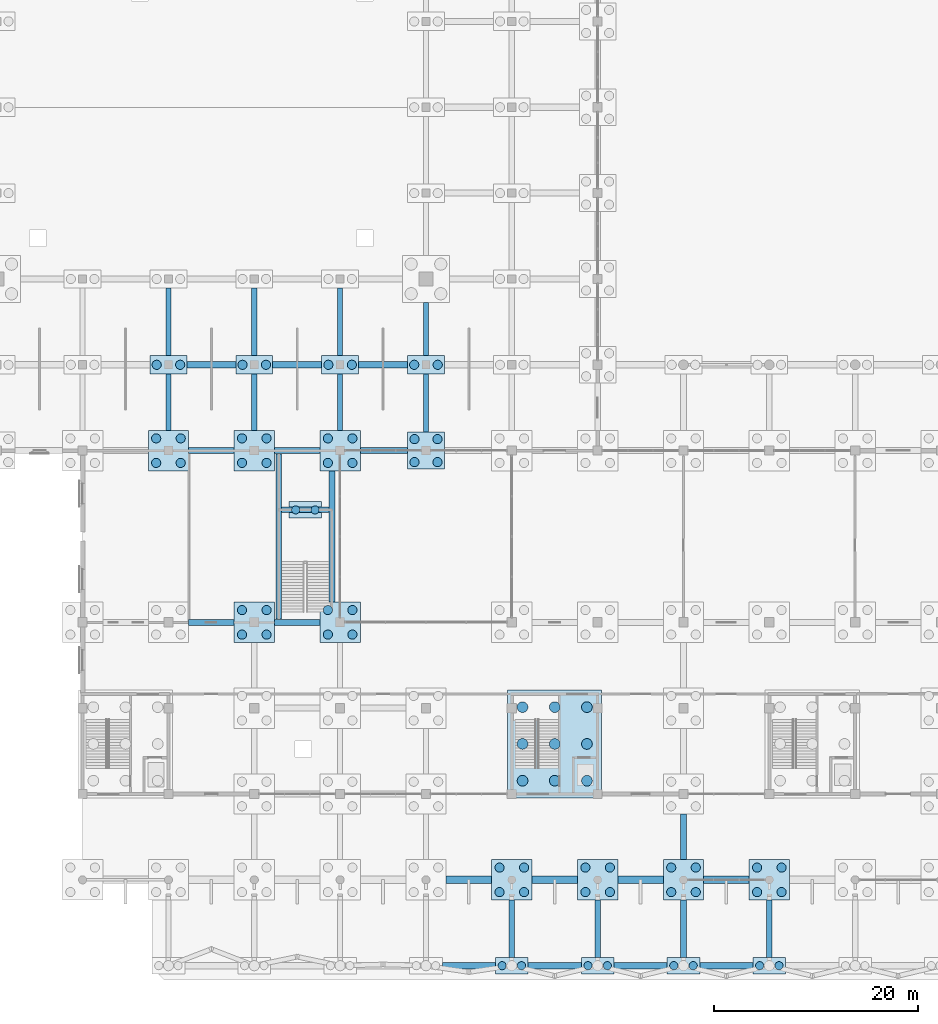
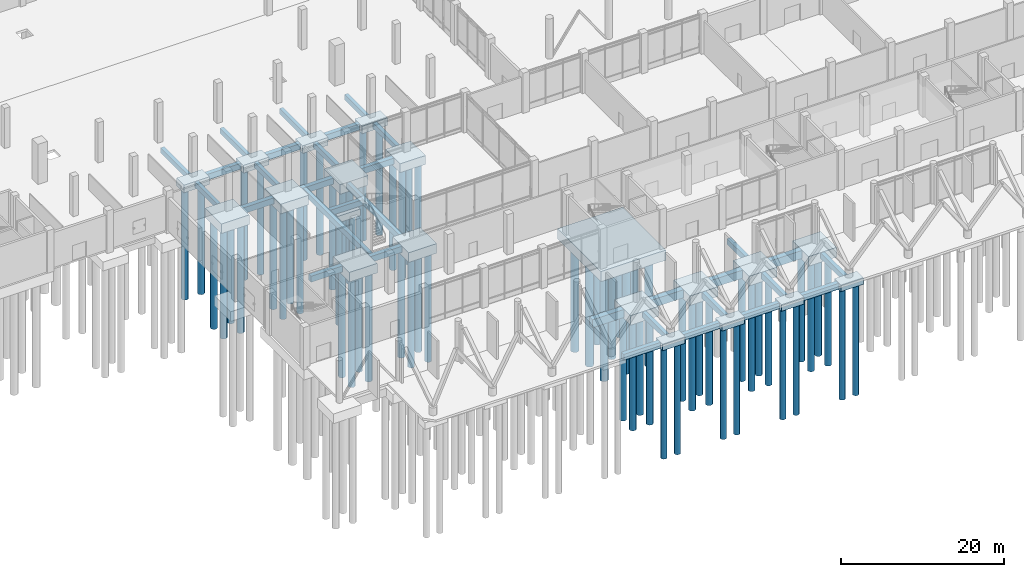
# One storey, part 2 of 72: 67 piles, 52 footings.
"""IFC4 building model written with IfcOpenShell, lengths in metres."""

import ifcopenshell
import ifcopenshell.guid

model = None  # the IFC model being written
_history = None  # IfcOwnerHistory: only IFC2X3 demands one
_inside = {}  # id of a spatial element -> (the spatial element, [elements in it])
_under = {}  # id of a project, library or spatial element -> (it, [spatial elements below it])
_declared = {}  # id of a project -> (the project, [libraries it declares])
_typed = {}  # id of a type object -> (the type object, [elements of that type])
_made_of = {}  # id of a material, layer set ... -> (it, [elements and type objects made of it])


def new_model(schema):
    """Start an empty IFC model of exactly this schema.

    Asked for "IFC4X3", IfcOpenShell would pick the latest addendum, in which some entities
    have other attributes; the version numbers below select the first issue.
    IFC2X3 requires an IfcOwnerHistory on every rooted entity: one is made here for all.
    """
    global model, _history
    if schema == "IFC4X3":
        model = ifcopenshell.file(schema_version=(4, 3, 0, 0))
    else:
        model = ifcopenshell.file(schema=schema)
    _inside.clear()
    _under.clear()
    _declared.clear()
    _typed.clear()
    _made_of.clear()
    _history = None
    if model.schema == "IFC2X3":
        org = make("IfcOrganization", Name="unknown")
        user = make(
            "IfcPersonAndOrganization",
            ThePerson=make("IfcPerson", FamilyName="unknown"),
            TheOrganization=org,
        )
        app = make(
            "IfcApplication",
            ApplicationDeveloper=org,
            Version="unknown",
            ApplicationFullName="unknown",
            ApplicationIdentifier="unknown",
        )
        _history = make(
            "IfcOwnerHistory",
            OwningUser=user,
            OwningApplication=app,
            ChangeAction="ADDED",
            CreationDate=0,
        )
    return model


def make(cls, **values):
    """One entity of the class cls with the attributes given. An attribute that is None is left unset."""
    return model.create_entity(
        cls, **{name: value for name, value in values.items() if value is not None}
    )


def rooted(cls, **values):
    """An entity with a GlobalId (a new one), such as an element, a storey or a relation."""
    return make(cls, GlobalId=ifcopenshell.guid.new(), OwnerHistory=_history, **values)


def si_unit(unit_type, name, prefix=None):
    """IfcSIUnit, for example si_unit("LENGTHUNIT", "METRE", prefix="MILLI")."""
    return make("IfcSIUnit", UnitType=unit_type, Prefix=prefix, Name=name)


def assignment(units):
    """IfcUnitAssignment: the units of a project."""
    return None if units is None else make("IfcUnitAssignment", Units=units)


def point(xyz):
    """IfcCartesianPoint."""
    return None if xyz is None else make("IfcCartesianPoint", Coordinates=xyz)


def direction(xyz):
    """IfcDirection."""
    return None if xyz is None else make("IfcDirection", DirectionRatios=xyz)


def frame(location, z_axis=None, x_axis=None):
    """IfcAxis2Placement3D, a coordinate frame: its origin and axes. An axis left out is left unset."""
    return make(
        "IfcAxis2Placement3D",
        Location=point(location),
        Axis=direction(z_axis),
        RefDirection=direction(x_axis),
    )


def frame_2d(location, x_axis=None):
    """IfcAxis2Placement2D, a coordinate frame in the plane: its origin and x axis."""
    return make(
        "IfcAxis2Placement2D", Location=point(location), RefDirection=direction(x_axis)
    )


def origin():
    """The frame at (0, 0, 0) with its axes left unset."""
    return frame((0.0, 0.0, 0.0))


def origin_2d():
    """The frame at (0, 0) in the plane with its x axis left unset."""
    return frame_2d((0.0, 0.0))


def place(relative_to, where):
    """IfcLocalPlacement: puts the frame where relative to a parent placement (None: the world)."""
    return make(
        "IfcLocalPlacement", PlacementRelTo=relative_to, RelativePlacement=where
    )


def context(
    kind, dimensions, precision=None, world=None, true_north=None, identifier=None
):
    """IfcGeometricRepresentationContext, for example the 3D "Model" context."""
    return make(
        "IfcGeometricRepresentationContext",
        ContextIdentifier=identifier,
        ContextType=kind,
        CoordinateSpaceDimension=dimensions,
        Precision=precision,
        WorldCoordinateSystem=world,
        TrueNorth=true_north,
    )


def subcontext(parent, identifier, kind, view, scale=None):
    """IfcGeometricRepresentationSubContext, for example "Body" below "Model"."""
    return make(
        "IfcGeometricRepresentationSubContext",
        ContextIdentifier=identifier,
        ContextType=kind,
        ParentContext=parent,
        TargetScale=scale,
        TargetView=view,
    )


def project(units=None, contexts=None):
    """IfcProject with its units and contexts."""
    return rooted(
        "IfcProject",
        Name="project",
        RepresentationContexts=contexts,
        UnitsInContext=assignment(units),
    )


def spatial(cls, under=None, at=None, **own):
    """A site, building, storey or space (cls), placed at a placement, below another one or the project."""
    s = rooted(cls, ObjectPlacement=at, **own)
    if under is not None:
        _under.setdefault(under.id(), (under, []))[1].append(s)
    return s


def profile(cls, at=None, kind="AREA", **sizes):
    """A parametric profile (cls). Its sizes go by their IFC names, for example OverallWidth=200.0."""
    return make(cls, ProfileType=kind, Position=at, **sizes)


def rectangle(**sizes):
    """IfcRectangleProfileDef."""
    return profile("IfcRectangleProfileDef", **sizes)


def circle(**sizes):
    """IfcCircleProfileDef."""
    return profile("IfcCircleProfileDef", **sizes)


def extrude(swept, where, along, depth):
    """IfcExtrudedAreaSolid: the profile swept, set in the frame where, extruded along a direction by depth."""
    return make(
        "IfcExtrudedAreaSolid",
        SweptArea=swept,
        Position=where,
        ExtrudedDirection=direction(along),
        Depth=depth,
    )


def shape(context_of_items, identifier, shape_type, items):
    """IfcShapeRepresentation: the items that make up one representation, for example the "Body"."""
    return make(
        "IfcShapeRepresentation",
        ContextOfItems=context_of_items,
        RepresentationIdentifier=identifier,
        RepresentationType=shape_type,
        Items=items,
    )


def material(Name=None, Category=None):
    """IfcMaterial."""
    return make("IfcMaterial", Name=Name, Category=Category)


def layer(
    of_material, thickness, ventilated=None, Name=None, Category=None, Priority=None
):
    """IfcMaterialLayer: one layer of a wall or slab, of a material (None: an air gap)."""
    return make(
        "IfcMaterialLayer",
        Material=of_material,
        LayerThickness=thickness,
        IsVentilated=ventilated,
        Name=Name,
        Category=Category,
        Priority=Priority,
    )


def layer_set(layers, Name=None):
    """IfcMaterialLayerSet."""
    return make("IfcMaterialLayerSet", MaterialLayers=layers, LayerSetName=Name)


def material_profile(
    of_material, cross_section, Name=None, Category=None, Priority=None
):
    """IfcMaterialProfile: a cross section and its material."""
    return make(
        "IfcMaterialProfile",
        Name=Name,
        Material=of_material,
        Profile=cross_section,
        Priority=Priority,
        Category=Category,
    )


def profile_set(profiles, Name=None, composite=None):
    """IfcMaterialProfileSet."""
    return make(
        "IfcMaterialProfileSet",
        Name=Name,
        MaterialProfiles=profiles,
        CompositeProfile=composite,
    )


def made_of(thing, what):
    """Note that an element or type object is made of a material, layer set ...; save() writes the relation."""
    if what is not None:
        _made_of.setdefault(what.id(), (what, []))[1].append(thing)
    return thing


def type_object(cls, material=None, **own):
    """A type object (cls), such as IfcWallType, which elements share."""
    return made_of(rooted(cls, **own), material)


def element(
    cls,
    number,
    at=None,
    inside=None,
    cuts=None,
    type_object=None,
    material=None,
    context=None,
    identifier="Body",
    shape_type=None,
    held_by="IfcProductDefinitionShape",
    body=None,
    shapes=None,
    **own,
):
    """One element of the class cls, such as IfcWall. Its Tag is "e" and its number.

    at: its placement. inside: the storey or other place that contains it. cuts: it is an
    opening in that element (IfcRelVoidsElement). A single representation is given by context,
    identifier, shape_type and body (its items); several are given by shapes. held_by: the class
    of the entity that holds the representations. save() writes the other relations.
    """
    e = rooted(cls, Tag="e%d" % number, ObjectPlacement=at, **own)
    if body is not None:
        shapes = [shape(context, identifier, shape_type, body)]
    if shapes is not None:
        e.Representation = make(held_by, Representations=shapes)
    if inside is not None:
        _inside.setdefault(inside.id(), (inside, []))[1].append(e)
    if cuts is not None:
        rooted(
            "IfcRelVoidsElement", RelatingBuildingElement=cuts, RelatedOpeningElement=e
        )
    if type_object is not None:
        _typed.setdefault(type_object.id(), (type_object, []))[1].append(e)
    return made_of(e, material)


def aggregate(whole, parts):
    """IfcRelAggregates: a whole, such as a stair, and the parts it consists of."""
    return rooted("IfcRelAggregates", RelatingObject=whole, RelatedObjects=parts)


def save(model, path):
    """Write the relations noted so far, then the file.

    IfcRelAggregates (storeys below a building ...), IfcRelContainedInSpatialStructure (elements
    in a storey), IfcRelDefinesByType, IfcRelAssociatesMaterial and IfcRelDeclares: one each for
    every whole, place, type object, material and project.
    """
    for whole, parts in _under.values():
        aggregate(whole, parts)
    for where, things in _inside.values():
        rooted(
            "IfcRelContainedInSpatialStructure",
            RelatedElements=things,
            RelatingStructure=where,
        )
    for kind, things in _typed.values():
        rooted("IfcRelDefinesByType", RelatedObjects=things, RelatingType=kind)
    for what, things in _made_of.values():
        rooted("IfcRelAssociatesMaterial", RelatedObjects=things, RelatingMaterial=what)
    for by, libraries in _declared.values():
        rooted("IfcRelDeclares", RelatingContext=by, RelatedDefinitions=libraries)
    model.write(path)


model = new_model("IFC4")

# Units and contexts
model_context = context("Model", 3, precision=1e-05, world=origin(), true_north=direction((0.0, 1.0)))
body_context = subcontext(model_context, "Body", "Model", "MODEL_VIEW")
ifc_project = project(units=[si_unit("LENGTHUNIT", "METRE"), si_unit("AREAUNIT", "SQUARE_METRE"), si_unit("VOLUMEUNIT", "CUBIC_METRE"), si_unit("PLANEANGLEUNIT", "RADIAN"), si_unit("MASSUNIT", "GRAM", prefix="KILO")], contexts=[model_context])

# Site, building, storey
site_placement = place(None, origin())
site = spatial("IfcSite", under=ifc_project, at=site_placement, CompositionType="ELEMENT")
building_placement = place(site_placement, origin())
building = spatial("IfcBuilding", under=site, at=building_placement, Name="Qawsi Khor Wholesale Market", CompositionType="ELEMENT")
storey_placement = place(building_placement, origin())
storey = spatial("IfcBuildingStorey", under=building, at=storey_placement, Name="L00", CompositionType="ELEMENT", Elevation=0.0)

# Piles
ifc_material = material(Name="Concrete C45/55", Category="concrete")
ifc_material_profile_1 = material_profile(ifc_material, circle(Radius=0.52490234375, at=origin_2d()), Name="PILE D1050")
ifc_profile_set_1 = profile_set([ifc_material_profile_1], Name="Concrete C45/55")
pile_type_1 = type_object("IfcPileType", Name="Bored Pile D1050 C45/55", PredefinedType="BORED", material=ifc_profile_set_1)
for number, where, z_axis, x_axis, name in (
    (1, (68.25, 9.699951171875, -1.800048828125), (0.0, 0.0, -1.0), (1.0, 0.0, 0.0), "Core bored pile C02-01"),
    (2, (68.25, 13.300048828125, -1.800048828125), (0.0, 0.0, -1.0), (1.0, 0.0, 0.0), "Core bored pile C02-02"),
    (3, (68.25, 16.89990234375, -1.800048828125), (0.0, 0.0, -1.0), (1.0, 0.0, 0.0), "Core bored pile C02-03"),
    (4, (71.39990234375, 9.699951171875, -1.800048828125), (0.0, 0.0, -1.0), (1.0, 0.0, 0.0), "Core bored pile C02-04"),
    (5, (71.39990234375, 13.300048828125, -1.800048828125), (0.0, 0.0, -1.0), (1.0, 0.0, 0.0), "Core bored pile C02-05"),
    (6, (71.39990234375, 16.89990234375, -1.800048828125), (0.0, 0.0, -1.0), (1.0, 0.0, 0.0), "Core bored pile C02-06"),
    (7, (74.550048828125, 9.699951171875, -1.800048828125), (0.0, 0.0, -1.0), (1.0, 0.0, 0.0), "Core bored pile C02-07"),
    (8, (74.550048828125, 13.300048828125, -1.800048828125), (0.0, 0.0, -1.0), (1.0, 0.0, 0.0), "Core bored pile C02-08"),
    (9, (74.550048828125, 16.89990234375, -1.800048828125), (0.0, 0.0, -1.0), (1.0, 0.0, 0.0), "Core bored pile C02-09"),
):
    element("IfcPile", number, at=place(storey_placement, frame(where, z_axis=z_axis, x_axis=x_axis)), inside=storey, type_object=pile_type_1, Name=name, PredefinedType="BORED", context=body_context, shape_type="SweptSolid", body=[
        extrude(circle(Radius=0.52490234375, at=origin_2d()), origin(), (0.0, 0.0, 1.0), 16.199951171875),
    ])
ifc_material_profile_2 = material_profile(ifc_material, circle(Radius=0.39990234375, at=origin_2d()), Name="PILE D800")
ifc_profile_set_2 = profile_set([ifc_material_profile_2], Name="Concrete C45/55")
pile_type_2 = type_object("IfcPileType", Name="Bored Pile D800 C45/55", PredefinedType="BORED", material=ifc_profile_set_2)
for number, where, z_axis, x_axis, name in (
    (10, (66.25, -8.39990234375, -1.2900390625), (0.0, 0.0, -1.0), (1.0, 0.0, 0.0), "Canopy pile 08_-01-1"),
    (11, (68.14990234375, -8.39990234375, -1.2900390625), (0.0, 0.0, -1.0), (1.0, 0.0, 0.0), "Canopy pile 08_-01-2"),
    (12, (74.64990234375, -8.39990234375, -1.2900390625), (0.0, 0.0, -1.0), (1.0, 0.0, 0.0), "Canopy pile 09_-01-1"),
    (13, (76.550048828125, -8.39990234375, -1.2900390625), (0.0, 0.0, -1.0), (1.0, 0.0, 0.0), "Canopy pile 09_-01-2"),
    (14, (83.050048828125, -8.39990234375, -1.2900390625), (0.0, 0.0, -1.0), (1.0, 0.0, 0.0), "Canopy pile 10_-01-1"),
    (15, (84.949951171875, -8.39990234375, -1.2900390625), (0.0, 0.0, -1.0), (1.0, 0.0, 0.0), "Canopy pile 10_-01-2"),
    (16, (91.449951171875, -8.39990234375, -1.2900390625), (0.0, 0.0, -1.0), (1.0, 0.0, 0.0), "Canopy pile 11_-01-1"),
    (17, (93.35009765625, -8.39990234375, -1.2900390625), (0.0, 0.0, -1.0), (1.0, 0.0, 0.0), "Canopy pile 11_-01-2"),
):
    element("IfcPile", number, at=place(storey_placement, frame(where, z_axis=z_axis, x_axis=x_axis)), inside=storey, type_object=pile_type_2, Name=name, PredefinedType="BORED", context=body_context, shape_type="SweptSolid", body=[
        extrude(circle(Radius=0.39990234375, at=origin_2d()), origin(), (0.0, 0.0, 1.0), 16.7099609375),
    ])
for number, where, z_axis, x_axis, name in (
    (18, (46.050048828125, 36.199951171875, -2.18505859375), (0.0, 0.0, -1.0), (1.0, 0.0, 0.0), "Atrium stair bored pile W-1"),
    (19, (47.949951171875, 36.199951171875, -2.18505859375), (0.0, 0.0, -1.0), (1.0, 0.0, 0.0), "Atrium stair bored pile W-2"),
):
    element("IfcPile", number, at=place(storey_placement, frame(where, z_axis=z_axis, x_axis=x_axis)), inside=storey, type_object=pile_type_2, Name=name, PredefinedType="BORED", context=body_context, shape_type="SweptSolid", body=[
        extrude(circle(Radius=0.39990234375, at=origin_2d()), origin(), (0.0, 0.0, 1.0), 15.81494140625),
    ])
ifc_material_profile_3 = material_profile(ifc_material, circle(Radius=0.449951171875, at=origin_2d()), Name="PILE D900")
ifc_profile_set_3 = profile_set([ifc_material_profile_3], Name="Concrete C45/55")
pile_type_3 = type_object("IfcPileType", Name="Bored Pile D900 C45/55", PredefinedType="BORED", material=ifc_profile_set_3)
for number, where, z_axis, x_axis, name in (
    (20, (32.39990234375, 40.800048828125, -1.72998046875), (0.0, 0.0, -1.0), (1.0, 0.0, 0.0), "Bored pile 04_+05-1"),
    (21, (34.800048828125, 40.800048828125, -1.72998046875), (0.0, 0.0, -1.0), (1.0, 0.0, 0.0), "Bored pile 04_+05-2"),
    (22, (32.39990234375, 43.199951171875, -1.72998046875), (0.0, 0.0, -1.0), (1.0, 0.0, 0.0), "Bored pile 04_+05-3"),
    (23, (34.800048828125, 43.199951171875, -1.72998046875), (0.0, 0.0, -1.0), (1.0, 0.0, 0.0), "Bored pile 04_+05-4"),
):
    element("IfcPile", number, at=place(storey_placement, frame(where, z_axis=z_axis, x_axis=x_axis)), inside=storey, type_object=pile_type_3, Name=name, PredefinedType="BORED", context=body_context, shape_type="SweptSolid", body=[
        extrude(circle(Radius=0.449951171875, at=origin_2d()), origin(), (0.0, 0.0, 1.0), 16.27001953125),
    ])
for number, where, z_axis, x_axis, name in (
    (24, (32.449951171875, 50.39990234375, -1.5), (0.0, 0.0, -1.0), (1.0, 0.0, 0.0), "Bored pile 04_+06-1"),
    (25, (34.75, 50.39990234375, -1.5), (0.0, 0.0, -1.0), (1.0, 0.0, 0.0), "Bored pile 04_+06-2"),
):
    element("IfcPile", number, at=place(storey_placement, frame(where, z_axis=z_axis, x_axis=x_axis)), inside=storey, type_object=pile_type_3, Name=name, PredefinedType="BORED", context=body_context, shape_type="SweptSolid", body=[
        extrude(circle(Radius=0.449951171875, at=origin_2d()), origin(), (0.0, 0.0, 1.0), 16.5),
    ])
for number, where, z_axis, x_axis, name in (
    (26, (40.800048828125, 24.0, -1.72998046875), (0.0, 0.0, -1.0), (1.0, 0.0, 0.0), "Bored pile 05_+03-1"),
    (27, (43.199951171875, 24.0, -1.72998046875), (0.0, 0.0, -1.0), (1.0, 0.0, 0.0), "Bored pile 05_+03-2"),
    (28, (40.800048828125, 26.39990234375, -1.72998046875), (0.0, 0.0, -1.0), (1.0, 0.0, 0.0), "Bored pile 05_+03-3"),
    (29, (43.199951171875, 26.39990234375, -1.72998046875), (0.0, 0.0, -1.0), (1.0, 0.0, 0.0), "Bored pile 05_+03-4"),
    (30, (40.800048828125, 40.800048828125, -1.72998046875), (0.0, 0.0, -1.0), (1.0, 0.0, 0.0), "Bored pile 05_+05-1"),
    (31, (43.199951171875, 40.800048828125, -1.72998046875), (0.0, 0.0, -1.0), (1.0, 0.0, 0.0), "Bored pile 05_+05-2"),
    (32, (40.800048828125, 43.199951171875, -1.72998046875), (0.0, 0.0, -1.0), (1.0, 0.0, 0.0), "Bored pile 05_+05-3"),
    (33, (43.199951171875, 43.199951171875, -1.72998046875), (0.0, 0.0, -1.0), (1.0, 0.0, 0.0), "Bored pile 05_+05-4"),
):
    element("IfcPile", number, at=place(storey_placement, frame(where, z_axis=z_axis, x_axis=x_axis)), inside=storey, type_object=pile_type_3, Name=name, PredefinedType="BORED", context=body_context, shape_type="SweptSolid", body=[
        extrude(circle(Radius=0.449951171875, at=origin_2d()), origin(), (0.0, 0.0, 1.0), 16.27001953125),
    ])
for number, where, z_axis, x_axis, name in (
    (34, (40.85009765625, 50.39990234375, -1.5), (0.0, 0.0, -1.0), (1.0, 0.0, 0.0), "Bored pile 05_+06-1"),
    (35, (43.14990234375, 50.39990234375, -1.5), (0.0, 0.0, -1.0), (1.0, 0.0, 0.0), "Bored pile 05_+06-2"),
):
    element("IfcPile", number, at=place(storey_placement, frame(where, z_axis=z_axis, x_axis=x_axis)), inside=storey, type_object=pile_type_3, Name=name, PredefinedType="BORED", context=body_context, shape_type="SweptSolid", body=[
        extrude(circle(Radius=0.449951171875, at=origin_2d()), origin(), (0.0, 0.0, 1.0), 16.5),
    ])
for number, where, z_axis, x_axis, name in (
    (36, (49.199951171875, 24.0, -1.72998046875), (0.0, 0.0, -1.0), (1.0, 0.0, 0.0), "Bored pile 06_+03-1"),
    (37, (51.60009765625, 24.0, -1.72998046875), (0.0, 0.0, -1.0), (1.0, 0.0, 0.0), "Bored pile 06_+03-2"),
    (38, (49.199951171875, 26.39990234375, -1.72998046875), (0.0, 0.0, -1.0), (1.0, 0.0, 0.0), "Bored pile 06_+03-3"),
    (39, (51.60009765625, 26.39990234375, -1.72998046875), (0.0, 0.0, -1.0), (1.0, 0.0, 0.0), "Bored pile 06_+03-4"),
    (40, (49.199951171875, 40.800048828125, -1.72998046875), (0.0, 0.0, -1.0), (1.0, 0.0, 0.0), "Bored pile 06_+05-1"),
    (41, (51.60009765625, 40.800048828125, -1.72998046875), (0.0, 0.0, -1.0), (1.0, 0.0, 0.0), "Bored pile 06_+05-2"),
    (42, (49.199951171875, 43.199951171875, -1.72998046875), (0.0, 0.0, -1.0), (1.0, 0.0, 0.0), "Bored pile 06_+05-3"),
    (43, (51.60009765625, 43.199951171875, -1.72998046875), (0.0, 0.0, -1.0), (1.0, 0.0, 0.0), "Bored pile 06_+05-4"),
):
    element("IfcPile", number, at=place(storey_placement, frame(where, z_axis=z_axis, x_axis=x_axis)), inside=storey, type_object=pile_type_3, Name=name, PredefinedType="BORED", context=body_context, shape_type="SweptSolid", body=[
        extrude(circle(Radius=0.449951171875, at=origin_2d()), origin(), (0.0, 0.0, 1.0), 16.27001953125),
    ])
for number, where, z_axis, x_axis, name in (
    (44, (49.25, 50.39990234375, -1.5), (0.0, 0.0, -1.0), (1.0, 0.0, 0.0), "Bored pile 06_+06-1"),
    (45, (51.550048828125, 50.39990234375, -1.5), (0.0, 0.0, -1.0), (1.0, 0.0, 0.0), "Bored pile 06_+06-2"),
):
    element("IfcPile", number, at=place(storey_placement, frame(where, z_axis=z_axis, x_axis=x_axis)), inside=storey, type_object=pile_type_3, Name=name, PredefinedType="BORED", context=body_context, shape_type="SweptSolid", body=[
        extrude(circle(Radius=0.449951171875, at=origin_2d()), origin(), (0.0, 0.0, 1.0), 16.5),
    ])
for number, where, z_axis, x_axis, name in (
    (46, (57.675048828125, 40.875, -1.610107421875), (0.0, 0.0, -1.0), (1.0, 0.0, 0.0), "Bored pile 07_+05-1"),
    (47, (59.925048828125, 40.875, -1.610107421875), (0.0, 0.0, -1.0), (1.0, 0.0, 0.0), "Bored pile 07_+05-2"),
    (48, (57.675048828125, 43.125, -1.610107421875), (0.0, 0.0, -1.0), (1.0, 0.0, 0.0), "Bored pile 07_+05-3"),
    (49, (59.925048828125, 43.125, -1.610107421875), (0.0, 0.0, -1.0), (1.0, 0.0, 0.0), "Bored pile 07_+05-4"),
):
    element("IfcPile", number, at=place(storey_placement, frame(where, z_axis=z_axis, x_axis=x_axis)), inside=storey, type_object=pile_type_3, Name=name, PredefinedType="BORED", context=body_context, shape_type="SweptSolid", body=[
        extrude(circle(Radius=0.449951171875, at=origin_2d()), origin(), (0.0, 0.0, 1.0), 16.389892578125),
    ])
for number, where, z_axis, x_axis, name in (
    (50, (57.64990234375, 50.39990234375, -1.5), (0.0, 0.0, -1.0), (1.0, 0.0, 0.0), "Bored pile 07_+06-1"),
    (51, (59.949951171875, 50.39990234375, -1.5), (0.0, 0.0, -1.0), (1.0, 0.0, 0.0), "Bored pile 07_+06-2"),
):
    element("IfcPile", number, at=place(storey_placement, frame(where, z_axis=z_axis, x_axis=x_axis)), inside=storey, type_object=pile_type_3, Name=name, PredefinedType="BORED", context=body_context, shape_type="SweptSolid", body=[
        extrude(circle(Radius=0.449951171875, at=origin_2d()), origin(), (0.0, 0.0, 1.0), 16.5),
    ])
for number, where, z_axis, x_axis, name in (
    (52, (66.0, -1.199951171875, -1.72998046875), (0.0, 0.0, -1.0), (1.0, 0.0, 0.0), "Bored pile 08_+00-1"),
    (53, (68.39990234375, -1.199951171875, -1.72998046875), (0.0, 0.0, -1.0), (1.0, 0.0, 0.0), "Bored pile 08_+00-2"),
    (54, (66.0, 1.199951171875, -1.72998046875), (0.0, 0.0, -1.0), (1.0, 0.0, 0.0), "Bored pile 08_+00-3"),
    (55, (68.39990234375, 1.199951171875, -1.72998046875), (0.0, 0.0, -1.0), (1.0, 0.0, 0.0), "Bored pile 08_+00-4"),
    (56, (74.39990234375, -1.199951171875, -1.72998046875), (0.0, 0.0, -1.0), (1.0, 0.0, 0.0), "Bored pile 09_+00-1"),
    (57, (76.800048828125, -1.199951171875, -1.72998046875), (0.0, 0.0, -1.0), (1.0, 0.0, 0.0), "Bored pile 09_+00-2"),
    (58, (74.39990234375, 1.199951171875, -1.72998046875), (0.0, 0.0, -1.0), (1.0, 0.0, 0.0), "Bored pile 09_+00-3"),
    (59, (76.800048828125, 1.199951171875, -1.72998046875), (0.0, 0.0, -1.0), (1.0, 0.0, 0.0), "Bored pile 09_+00-4"),
    (60, (82.800048828125, -1.199951171875, -1.72998046875), (0.0, 0.0, -1.0), (1.0, 0.0, 0.0), "Bored pile 10_+00-1"),
    (61, (85.199951171875, -1.199951171875, -1.72998046875), (0.0, 0.0, -1.0), (1.0, 0.0, 0.0), "Bored pile 10_+00-2"),
    (62, (82.800048828125, 1.199951171875, -1.72998046875), (0.0, 0.0, -1.0), (1.0, 0.0, 0.0), "Bored pile 10_+00-3"),
    (63, (85.199951171875, 1.199951171875, -1.72998046875), (0.0, 0.0, -1.0), (1.0, 0.0, 0.0), "Bored pile 10_+00-4"),
    (64, (91.199951171875, -1.199951171875, -1.72998046875), (0.0, 0.0, -1.0), (1.0, 0.0, 0.0), "Bored pile 11_+00-1"),
    (65, (93.60009765625, -1.199951171875, -1.72998046875), (0.0, 0.0, -1.0), (1.0, 0.0, 0.0), "Bored pile 11_+00-2"),
    (66, (91.199951171875, 1.199951171875, -1.72998046875), (0.0, 0.0, -1.0), (1.0, 0.0, 0.0), "Bored pile 11_+00-3"),
    (67, (93.60009765625, 1.199951171875, -1.72998046875), (0.0, 0.0, -1.0), (1.0, 0.0, 0.0), "Bored pile 11_+00-4"),
):
    element("IfcPile", number, at=place(storey_placement, frame(where, z_axis=z_axis, x_axis=x_axis)), inside=storey, type_object=pile_type_3, Name=name, PredefinedType="BORED", context=body_context, shape_type="SweptSolid", body=[
        extrude(circle(Radius=0.449951171875, at=origin_2d()), origin(), (0.0, 0.0, 1.0), 16.27001953125),
    ])

# Footings
ifc_material_profile_4 = material_profile(ifc_material, rectangle(XDim=0.75, YDim=1.199951171875, at=origin_2d()), Name="RC 750x1200")
ifc_profile_set_4 = profile_set([ifc_material_profile_4], Name="Concrete C45/55")
footing_type_1 = type_object("IfcFootingType", Name="Boulevard Strip Footing SF 750x1200", PredefinedType="STRIP_FOOTING", material=ifc_profile_set_4)
footing_1_placement = place(storey_placement, frame((60.77490234375, 0.0, -0.989990234375), z_axis=(1.0, 0.0, 0.0), x_axis=(0.0, 1.0, 0.0)))
element("IfcFooting", 68, at=footing_1_placement, inside=storey, type_object=footing_type_1, Name="Ground tie-beam X 7-8 at Y=0.0", PredefinedType="STRIP_FOOTING", context=body_context, shape_type="SweptSolid", body=[
    extrude(rectangle(XDim=0.75, YDim=1.199951171875, at=origin_2d()), origin(), (0.0, 0.0, 1.0), 4.4501953125),
])
for number, where, z_axis, x_axis, name in (
    (69, (69.175048828125, 0.0, -0.989990234375), (1.0, 0.0, 0.0), (0.0, 1.0, 0.0), "Ground tie-beam X 8-9 at Y=0.0"),
    (70, (77.574951171875, 0.0, -0.989990234375), (1.0, 0.0, 0.0), (0.0, 1.0, 0.0), "Ground tie-beam X 9-10 at Y=0.0"),
    (71, (85.97509765625, 0.0, -0.989990234375), (1.0, 0.0, 0.0), (0.0, 1.0, 0.0), "Ground tie-beam X 10-11 at Y=0.0"),
):
    element("IfcFooting", number, at=place(storey_placement, frame(where, z_axis=z_axis, x_axis=x_axis)), inside=storey, type_object=footing_type_1, Name=name, PredefinedType="STRIP_FOOTING", context=body_context, shape_type="SweptSolid", body=[
        extrude(rectangle(XDim=0.75, YDim=1.199951171875, at=origin_2d()), origin(), (0.0, 0.0, 1.0), 4.449951171875),
    ])
ifc_layer_1 = layer(ifc_material, 1.52001953125, Name="Concrete C45/55")
ifc_layer_set_1 = layer_set([ifc_layer_1], Name="Concrete C45/55")
footing_type_2 = type_object("IfcFootingType", Name="Core Pile Raft CR-9P 9200x10600x1520", PredefinedType="PILE_CAP", material=ifc_layer_set_1)
footing_2_placement = place(storey_placement, frame((71.39990234375, 13.300048828125, -1.880126953125), z_axis=(0.0, 0.0, 1.0), x_axis=(1.0, 0.0, 0.0)))
element("IfcFooting", 72, at=footing_2_placement, inside=storey, type_object=footing_type_2, Name="Core pile raft C02", PredefinedType="PILE_CAP", context=body_context, shape_type="SweptSolid", body=[
    extrude(rectangle(XDim=9.199951171875, YDim=10.60009765625, at=origin_2d()), origin(), (0.0, 0.0, 1.0), 1.52001953125),
])
ifc_material_profile_5 = material_profile(ifc_material, rectangle(XDim=0.60009765625, YDim=0.89990234375, at=origin_2d()), Name="RC 600x900")
ifc_profile_set_5 = profile_set([ifc_material_profile_5], Name="Concrete C45/55")
footing_type_3 = type_object("IfcFootingType", Name="Ground Tie-Beam GTB 600x900", PredefinedType="FOOTING_BEAM", material=ifc_profile_set_5)
for number, where, z_axis, x_axis, name in (
    (73, (35.574951171875, 25.199951171875, -0.840087890625), (1.0, 0.0, 0.0), (0.0, 1.0, 0.0), "Ground tie-beam X 4-5 at Y=25.2"),
    (74, (35.574951171875, 42.0, -0.840087890625), (1.0, 0.0, 0.0), (0.0, 1.0, 0.0), "Ground tie-beam X 4-5 at Y=42.0"),
):
    element("IfcFooting", number, at=place(storey_placement, frame(where, z_axis=z_axis, x_axis=x_axis)), inside=storey, type_object=footing_type_3, Name=name, PredefinedType="FOOTING_BEAM", context=body_context, shape_type="SweptSolid", body=[
        extrude(rectangle(XDim=0.60009765625, YDim=0.89990234375, at=origin_2d()), origin(), (0.0, 0.0, 1.0), 4.449951171875),
    ])
footing_3_placement = place(storey_placement, frame((35.39990234375, 50.39990234375, -0.840087890625), z_axis=(1.0, 0.0, 0.0), x_axis=(0.0, 1.0, 0.0)))
element("IfcFooting", 75, at=footing_3_placement, inside=storey, type_object=footing_type_3, Name="Ground tie-beam X 4-5 at Y=50.4", PredefinedType="FOOTING_BEAM", context=body_context, shape_type="SweptSolid", body=[
    extrude(rectangle(XDim=0.60009765625, YDim=0.89990234375, at=origin_2d()), origin(), (0.0, 0.0, 1.0), 4.800048828125),
])
for number, where, z_axis, x_axis, name in (
    (76, (43.97509765625, 25.199951171875, -0.840087890625), (1.0, 0.0, 0.0), (0.0, 1.0, 0.0), "Ground tie-beam X 5-6 at Y=25.2"),
    (77, (43.97509765625, 42.0, -0.840087890625), (1.0, 0.0, 0.0), (0.0, 1.0, 0.0), "Ground tie-beam X 5-6 at Y=42.0"),
):
    element("IfcFooting", number, at=place(storey_placement, frame(where, z_axis=z_axis, x_axis=x_axis)), inside=storey, type_object=footing_type_3, Name=name, PredefinedType="FOOTING_BEAM", context=body_context, shape_type="SweptSolid", body=[
        extrude(rectangle(XDim=0.60009765625, YDim=0.89990234375, at=origin_2d()), origin(), (0.0, 0.0, 1.0), 4.449951171875),
    ])
footing_4_placement = place(storey_placement, frame((43.800048828125, 50.39990234375, -0.840087890625), z_axis=(1.0, 0.0, 0.0), x_axis=(0.0, 1.0, 0.0)))
element("IfcFooting", 78, at=footing_4_placement, inside=storey, type_object=footing_type_3, Name="Ground tie-beam X 5-6 at Y=50.4", PredefinedType="FOOTING_BEAM", context=body_context, shape_type="SweptSolid", body=[
    extrude(rectangle(XDim=0.60009765625, YDim=0.89990234375, at=origin_2d()), origin(), (0.0, 0.0, 1.0), 4.800048828125),
])
footing_5_placement = place(storey_placement, frame((52.375, 42.0, -0.840087890625), z_axis=(1.0, 0.0, 0.0), x_axis=(0.0, 1.0, 0.0)))
element("IfcFooting", 79, at=footing_5_placement, inside=storey, type_object=footing_type_3, Name="Ground tie-beam X 6-7 at Y=42.0", PredefinedType="FOOTING_BEAM", context=body_context, shape_type="SweptSolid", body=[
    extrude(rectangle(XDim=0.60009765625, YDim=0.89990234375, at=origin_2d()), origin(), (0.0, 0.0, 1.0), 4.625),
])
footing_6_placement = place(storey_placement, frame((52.199951171875, 50.39990234375, -0.840087890625), z_axis=(1.0, 0.0, 0.0), x_axis=(0.0, 1.0, 0.0)))
element("IfcFooting", 80, at=footing_6_placement, inside=storey, type_object=footing_type_3, Name="Ground tie-beam X 6-7 at Y=50.4", PredefinedType="FOOTING_BEAM", context=body_context, shape_type="SweptSolid", body=[
    extrude(rectangle(XDim=0.60009765625, YDim=0.89990234375, at=origin_2d()), origin(), (0.0, 0.0, 1.0), 4.800048828125),
])
footing_7_placement = place(storey_placement, frame((60.39990234375, -8.39990234375, -0.840087890625), z_axis=(1.0, 0.0, 0.0), x_axis=(0.0, 1.0, 0.0)))
element("IfcFooting", 81, at=footing_7_placement, inside=storey, type_object=footing_type_3, Name="Ground tie-beam X 7-8 at Y=-8.4", PredefinedType="FOOTING_BEAM", context=body_context, shape_type="SweptSolid", body=[
    extrude(rectangle(XDim=0.60009765625, YDim=0.89990234375, at=origin_2d()), origin(), (0.0, 0.0, 1.0), 5.2001953125),
])
for number, where, z_axis, x_axis, name in (
    (82, (68.800048828125, -8.39990234375, -0.840087890625), (1.0, 0.0, 0.0), (0.0, 1.0, 0.0), "Ground tie-beam X 8-9 at Y=-8.4"),
    (83, (77.199951171875, -8.39990234375, -0.840087890625), (1.0, 0.0, 0.0), (0.0, 1.0, 0.0), "Ground tie-beam X 9-10 at Y=-8.4"),
    (84, (85.60009765625, -8.39990234375, -0.840087890625), (1.0, 0.0, 0.0), (0.0, 1.0, 0.0), "Ground tie-beam X 10-11 at Y=-8.4"),
):
    element("IfcFooting", number, at=place(storey_placement, frame(where, z_axis=z_axis, x_axis=x_axis)), inside=storey, type_object=footing_type_3, Name=name, PredefinedType="FOOTING_BEAM", context=body_context, shape_type="SweptSolid", body=[
        extrude(rectangle(XDim=0.60009765625, YDim=0.89990234375, at=origin_2d()), origin(), (0.0, 0.0, 1.0), 5.199951171875),
    ])
ifc_material_profile_6 = material_profile(ifc_material, rectangle(XDim=0.5, YDim=0.800048828125, at=origin_2d()), Name="RC 500x800")
ifc_profile_set_6 = profile_set([ifc_material_profile_6], Name="Concrete C45/55")
footing_type_4 = type_object("IfcFootingType", Name="Hall Tie-Beam GTB 500x800", PredefinedType="FOOTING_BEAM", material=ifc_profile_set_6)
footing_8_placement = place(storey_placement, frame((33.60009765625, 43.97509765625, -0.7900390625), z_axis=(0.0, 1.0, 0.0), x_axis=(-1.0, 0.0, 0.0)))
element("IfcFooting", 85, at=footing_8_placement, inside=storey, type_object=footing_type_4, Name="Ground tie-beam Y 5-6 at X=33.6", PredefinedType="FOOTING_BEAM", context=body_context, shape_type="SweptSolid", body=[
    extrude(rectangle(XDim=0.5, YDim=0.800048828125, at=origin_2d()), origin(), (0.0, 0.0, 1.0), 5.52490234375),
])
footing_9_placement = place(storey_placement, frame((33.60009765625, 51.300048828125, -0.7900390625), z_axis=(0.0, 1.0, 0.0), x_axis=(-1.0, 0.0, 0.0)))
element("IfcFooting", 86, at=footing_9_placement, inside=storey, type_object=footing_type_4, Name="Ground tie-beam Y 6-7 at X=33.6", PredefinedType="FOOTING_BEAM", context=body_context, shape_type="SweptSolid", body=[
    extrude(rectangle(XDim=0.5, YDim=0.800048828125, at=origin_2d()), origin(), (0.0, 0.0, 1.0), 6.599853515625),
])
footing_10_placement = place(storey_placement, frame((42.0, 43.97509765625, -0.7900390625), z_axis=(0.0, 1.0, 0.0), x_axis=(-1.0, 0.0, 0.0)))
element("IfcFooting", 87, at=footing_10_placement, inside=storey, type_object=footing_type_4, Name="Ground tie-beam Y 5-6 at X=42.0", PredefinedType="FOOTING_BEAM", context=body_context, shape_type="SweptSolid", body=[
    extrude(rectangle(XDim=0.5, YDim=0.800048828125, at=origin_2d()), origin(), (0.0, 0.0, 1.0), 5.52490234375),
])
footing_11_placement = place(storey_placement, frame((42.0, 51.300048828125, -0.7900390625), z_axis=(0.0, 1.0, 0.0), x_axis=(-1.0, 0.0, 0.0)))
element("IfcFooting", 88, at=footing_11_placement, inside=storey, type_object=footing_type_4, Name="Ground tie-beam Y 6-7 at X=42.0", PredefinedType="FOOTING_BEAM", context=body_context, shape_type="SweptSolid", body=[
    extrude(rectangle(XDim=0.5, YDim=0.800048828125, at=origin_2d()), origin(), (0.0, 0.0, 1.0), 6.599853515625),
])
footing_12_placement = place(storey_placement, frame((50.39990234375, 43.97509765625, -0.7900390625), z_axis=(0.0, 1.0, 0.0), x_axis=(-1.0, 0.0, 0.0)))
element("IfcFooting", 89, at=footing_12_placement, inside=storey, type_object=footing_type_4, Name="Ground tie-beam Y 5-6 at X=50.4", PredefinedType="FOOTING_BEAM", context=body_context, shape_type="SweptSolid", body=[
    extrude(rectangle(XDim=0.5, YDim=0.800048828125, at=origin_2d()), origin(), (0.0, 0.0, 1.0), 5.52490234375),
])
footing_13_placement = place(storey_placement, frame((50.39990234375, 51.300048828125, -0.7900390625), z_axis=(0.0, 1.0, 0.0), x_axis=(-1.0, 0.0, 0.0)))
element("IfcFooting", 90, at=footing_13_placement, inside=storey, type_object=footing_type_4, Name="Ground tie-beam Y 6-7 at X=50.4", PredefinedType="FOOTING_BEAM", context=body_context, shape_type="SweptSolid", body=[
    extrude(rectangle(XDim=0.5, YDim=0.800048828125, at=origin_2d()), origin(), (0.0, 0.0, 1.0), 6.599853515625),
])
footing_14_placement = place(storey_placement, frame((58.800048828125, 43.800048828125, -0.7900390625), z_axis=(0.0, 1.0, 0.0), x_axis=(-1.0, 0.0, 0.0)))
element("IfcFooting", 91, at=footing_14_placement, inside=storey, type_object=footing_type_4, Name="Ground tie-beam Y 5-6 at X=58.8", PredefinedType="FOOTING_BEAM", context=body_context, shape_type="SweptSolid", body=[
    extrude(rectangle(XDim=0.5, YDim=0.800048828125, at=origin_2d()), origin(), (0.0, 0.0, 1.0), 5.699951171875),
])
footing_15_placement = place(storey_placement, frame((58.800048828125, 51.300048828125, -0.7900390625), z_axis=(0.0, 1.0, 0.0), x_axis=(-1.0, 0.0, 0.0)))
element("IfcFooting", 92, at=footing_15_placement, inside=storey, type_object=footing_type_4, Name="Ground tie-beam Y 6-7 at X=58.8", PredefinedType="FOOTING_BEAM", context=body_context, shape_type="SweptSolid", body=[
    extrude(rectangle(XDim=0.5, YDim=0.800048828125, at=origin_2d()), origin(), (0.0, 0.0, 1.0), 5.199951171875),
])
footing_16_placement = place(storey_placement, frame((67.199951171875, -7.60009765625, -0.7900390625), z_axis=(0.0, 1.0, 0.0), x_axis=(-1.0, 0.0, 0.0)))
element("IfcFooting", 93, at=footing_16_placement, inside=storey, type_object=footing_type_4, Name="Ground tie-beam Y -1-0 at X=67.2", PredefinedType="FOOTING_BEAM", context=body_context, shape_type="SweptSolid", body=[
    extrude(rectangle(XDim=0.5, YDim=0.800048828125, at=origin_2d()), origin(), (0.0, 0.0, 1.0), 5.625),
])
ifc_material_profile_7 = material_profile(ifc_material, rectangle(XDim=0.550048828125, YDim=0.85009765625, at=origin_2d()), Name="RC 550x850")
ifc_profile_set_7 = profile_set([ifc_material_profile_7], Name="Concrete C45/55")
footing_type_5 = type_object("IfcFootingType", Name="Internal Tie-Beam GTB 550x850", PredefinedType="FOOTING_BEAM", material=ifc_profile_set_7)
for number, where, z_axis, x_axis, name in (
    (94, (75.60009765625, -7.60009765625, -0.81494140625), (0.0, 1.0, 0.0), (-1.0, 0.0, 0.0), "Ground tie-beam Y -1-0 at X=75.6"),
    (95, (84.0, -7.60009765625, -0.81494140625), (0.0, 1.0, 0.0), (-1.0, 0.0, 0.0), "Ground tie-beam Y -1-0 at X=84.0"),
):
    element("IfcFooting", number, at=place(storey_placement, frame(where, z_axis=z_axis, x_axis=x_axis)), inside=storey, type_object=footing_type_5, Name=name, PredefinedType="FOOTING_BEAM", context=body_context, shape_type="SweptSolid", body=[
        extrude(rectangle(XDim=0.550048828125, YDim=0.85009765625, at=origin_2d()), origin(), (0.0, 0.0, 1.0), 5.625),
    ])
footing_17_placement = place(storey_placement, frame((84.0, 1.97509765625, -0.81494140625), z_axis=(0.0, 1.0, 0.0), x_axis=(-1.0, 0.0, 0.0)))
element("IfcFooting", 96, at=footing_17_placement, inside=storey, type_object=footing_type_5, Name="Ground tie-beam Y 0-1 at X=84.0", PredefinedType="FOOTING_BEAM", context=body_context, shape_type="SweptSolid", body=[
    extrude(rectangle(XDim=0.550048828125, YDim=0.85009765625, at=origin_2d()), origin(), (0.0, 0.0, 1.0), 4.449951171875),
])
footing_18_placement = place(storey_placement, frame((92.39990234375, -7.60009765625, -0.81494140625), z_axis=(0.0, 1.0, 0.0), x_axis=(-1.0, 0.0, 0.0)))
element("IfcFooting", 97, at=footing_18_placement, inside=storey, type_object=footing_type_5, Name="Ground tie-beam Y -1-0 at X=92.4", PredefinedType="FOOTING_BEAM", context=body_context, shape_type="SweptSolid", body=[
    extrude(rectangle(XDim=0.550048828125, YDim=0.85009765625, at=origin_2d()), origin(), (0.0, 0.0, 1.0), 5.625),
])
footing_19_placement = place(storey_placement, frame((44.39990234375, 25.5048828125, -0.81494140625), z_axis=(0.0, 1.0, 0.0), x_axis=(-1.0, 0.0, 0.0)))
element("IfcFooting", 98, at=footing_19_placement, inside=storey, type_object=footing_type_5, Name="Atrium stair strip footing W-W", PredefinedType="FOOTING_BEAM", context=body_context, shape_type="SweptSolid", body=[
    extrude(rectangle(XDim=0.550048828125, YDim=0.85009765625, at=origin_2d()), origin(), (0.0, 0.0, 1.0), 16.190185546875),
])
footing_20_placement = place(storey_placement, frame((44.679931640625, 36.199951171875, -0.81494140625), z_axis=(1.0, 0.0, 0.0), x_axis=(0.0, 1.0, 0.0)))
element("IfcFooting", 99, at=footing_20_placement, inside=storey, type_object=footing_type_5, Name="Atrium stair strip footing W-N", PredefinedType="FOOTING_BEAM", context=body_context, shape_type="SweptSolid", body=[
    extrude(rectangle(XDim=0.550048828125, YDim=0.85009765625, at=origin_2d()), origin(), (0.0, 0.0, 1.0), 4.64013671875),
])
footing_21_placement = place(storey_placement, frame((49.60009765625, 27.179931640625, -0.81494140625), z_axis=(0.0, 1.0, 0.0), x_axis=(-1.0, 0.0, 0.0)))
element("IfcFooting", 100, at=footing_21_placement, inside=storey, type_object=footing_type_5, Name="Atrium stair strip footing W-E", PredefinedType="FOOTING_BEAM", context=body_context, shape_type="SweptSolid", body=[
    extrude(rectangle(XDim=0.550048828125, YDim=0.85009765625, at=origin_2d()), origin(), (0.0, 0.0, 1.0), 12.840087890625),
])
ifc_layer_2 = layer(ifc_material, 1.0, Name="Concrete C45/55")
ifc_layer_set_2 = layer_set([ifc_layer_2], Name="Concrete C45/55")
footing_type_6 = type_object("IfcFootingType", Name="Pile Cap PC-2C 3200x1600x1000", PredefinedType="PILE_CAP", material=ifc_layer_set_2)
for number, where, z_axis, x_axis, name in (
    (101, (67.199951171875, -8.39990234375, -1.360107421875), (0.0, 0.0, 1.0), (1.0, 0.0, 0.0), "Canopy pile cap 08_-01"),
    (102, (75.60009765625, -8.39990234375, -1.360107421875), (0.0, 0.0, 1.0), (1.0, 0.0, 0.0), "Canopy pile cap 09_-01"),
    (103, (84.0, -8.39990234375, -1.360107421875), (0.0, 0.0, 1.0), (1.0, 0.0, 0.0), "Canopy pile cap 10_-01"),
    (104, (92.39990234375, -8.39990234375, -1.360107421875), (0.0, 0.0, 1.0), (1.0, 0.0, 0.0), "Canopy pile cap 11_-01"),
    (105, (47.0, 36.199951171875, -2.2451171875), (0.0, 0.0, 1.0), (1.0, 0.0, 0.0), "Atrium stair pile cap W"),
):
    element("IfcFooting", number, at=place(storey_placement, frame(where, z_axis=z_axis, x_axis=x_axis)), inside=storey, type_object=footing_type_6, Name=name, PredefinedType="PILE_CAP", context=body_context, shape_type="SweptSolid", body=[
        extrude(rectangle(XDim=3.199951171875, YDim=1.60009765625, at=origin_2d()), origin(), (0.0, 0.0, 1.0), 1.0),
    ])
ifc_layer_3 = layer(ifc_material, 1.14990234375, Name="Concrete C45/55")
ifc_layer_set_3 = layer_set([ifc_layer_3], Name="Concrete C45/55")
footing_type_7 = type_object("IfcFootingType", Name="Pile Cap PC-2P 3600x1800x1150", PredefinedType="PILE_CAP", material=ifc_layer_set_3)
for number, where, z_axis, x_axis, name in (
    (106, (33.60009765625, 50.39990234375, -1.510009765625), (0.0, 0.0, 1.0), (1.0, 0.0, 0.0), "Two-pile cap 04_+06"),
    (107, (42.0, 50.39990234375, -1.510009765625), (0.0, 0.0, 1.0), (1.0, 0.0, 0.0), "Two-pile cap 05_+06"),
    (108, (50.39990234375, 50.39990234375, -1.510009765625), (0.0, 0.0, 1.0), (1.0, 0.0, 0.0), "Two-pile cap 06_+06"),
    (109, (58.800048828125, 50.39990234375, -1.510009765625), (0.0, 0.0, 1.0), (1.0, 0.0, 0.0), "Two-pile cap 07_+06"),
):
    element("IfcFooting", number, at=place(storey_placement, frame(where, z_axis=z_axis, x_axis=x_axis)), inside=storey, type_object=footing_type_7, Name=name, PredefinedType="PILE_CAP", context=body_context, shape_type="SweptSolid", body=[
        extrude(rectangle(XDim=3.60009765625, YDim=1.800048828125, at=origin_2d()), origin(), (0.0, 0.0, 1.0), 1.14990234375),
    ])
ifc_layer_4 = layer(ifc_material, 1.43994140625, Name="Concrete C45/55")
ifc_layer_set_4 = layer_set([ifc_layer_4], Name="Concrete C45/55")
footing_type_8 = type_object("IfcFootingType", Name="Pile Cap PC-4H 3950x3950x1440", PredefinedType="PILE_CAP", material=ifc_layer_set_4)
for number, where, z_axis, x_axis, name in (
    (110, (33.60009765625, 42.0, -1.800048828125), (0.0, 0.0, 1.0), (1.0, 0.0, 0.0), "Four-pile heavy cap 04_+05"),
    (111, (42.0, 25.199951171875, -1.800048828125), (0.0, 0.0, 1.0), (1.0, 0.0, 0.0), "Four-pile heavy cap 05_+03"),
    (112, (42.0, 42.0, -1.800048828125), (0.0, 0.0, 1.0), (1.0, 0.0, 0.0), "Four-pile heavy cap 05_+05"),
    (113, (50.39990234375, 25.199951171875, -1.800048828125), (0.0, 0.0, 1.0), (1.0, 0.0, 0.0), "Four-pile heavy cap 06_+03"),
    (114, (50.39990234375, 42.0, -1.800048828125), (0.0, 0.0, 1.0), (1.0, 0.0, 0.0), "Four-pile heavy cap 06_+05"),
    (115, (67.199951171875, 0.0, -1.800048828125), (0.0, 0.0, 1.0), (1.0, 0.0, 0.0), "Four-pile heavy cap 08_+00"),
    (116, (75.60009765625, 0.0, -1.800048828125), (0.0, 0.0, 1.0), (1.0, 0.0, 0.0), "Four-pile heavy cap 09_+00"),
    (117, (84.0, 0.0, -1.800048828125), (0.0, 0.0, 1.0), (1.0, 0.0, 0.0), "Four-pile heavy cap 10_+00"),
    (118, (92.39990234375, 0.0, -1.800048828125), (0.0, 0.0, 1.0), (1.0, 0.0, 0.0), "Four-pile heavy cap 11_+00"),
):
    element("IfcFooting", number, at=place(storey_placement, frame(where, z_axis=z_axis, x_axis=x_axis)), inside=storey, type_object=footing_type_8, Name=name, PredefinedType="PILE_CAP", context=body_context, shape_type="SweptSolid", body=[
        extrude(rectangle(XDim=3.949951171875, YDim=3.949951171875, at=origin_2d()), origin(), (0.0, 0.0, 1.0), 1.43994140625),
    ])
ifc_layer_5 = layer(ifc_material, 1.320068359375, Name="Concrete C45/55")
ifc_layer_set_5 = layer_set([ifc_layer_5], Name="Concrete C45/55")
footing_type_9 = type_object("IfcFootingType", Name="Pile Cap PC-4P 3600x3600x1320", PredefinedType="PILE_CAP", material=ifc_layer_set_5)
footing_22_placement = place(storey_placement, frame((58.800048828125, 42.0, -1.68017578125), z_axis=(0.0, 0.0, 1.0), x_axis=(1.0, 0.0, 0.0)))
element("IfcFooting", 119, at=footing_22_placement, inside=storey, type_object=footing_type_9, Name="Four-pile cap 07_+05", PredefinedType="PILE_CAP", context=body_context, shape_type="SweptSolid", body=[
    extrude(rectangle(XDim=3.60009765625, YDim=3.60009765625, at=origin_2d()), origin(), (0.0, 0.0, 1.0), 1.320068359375),
])

save(model, "model.ifc")
